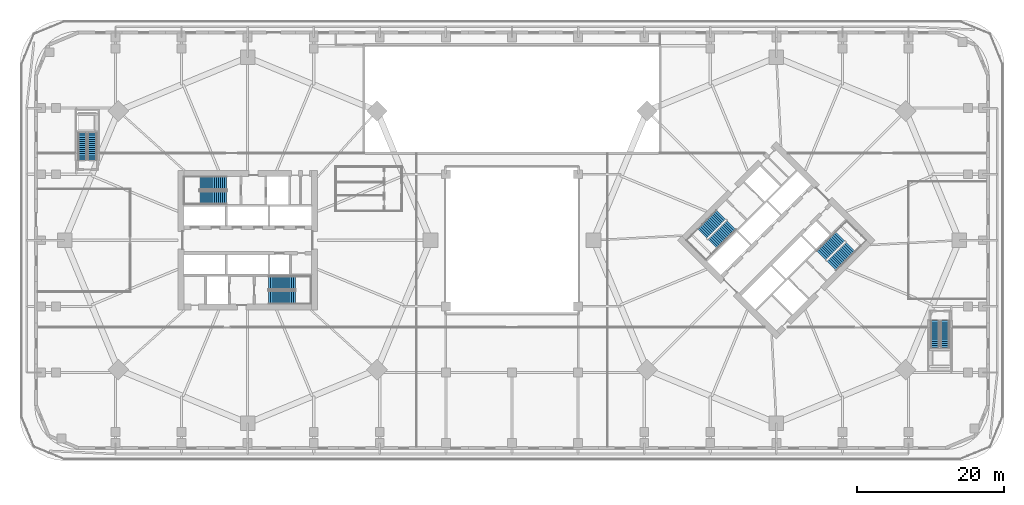
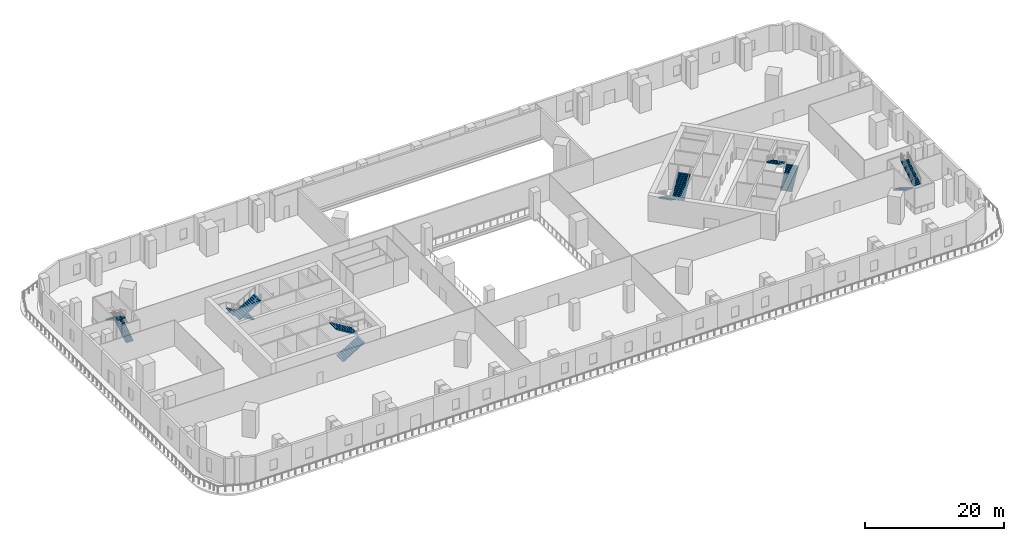
# One storey, part 12 of 17: 12 stair flights, 6 elements without a shape of their own.
"""IFC4 building model written with IfcOpenShell, lengths in metres."""

from ifc_helpers import new_model, si_unit, direction, frame, origin, place, context, subcontext, project, spatial, polyline, outline, extrude, material, type_object, element, aggregate, save


model = new_model("IFC4")

# Units and contexts
model_context = context("Model", 3, precision=1e-05, world=origin(), true_north=direction((0.0, 1.0)))
body_context = subcontext(model_context, "Body", "Model", "MODEL_VIEW")
ifc_project = project(units=[si_unit("LENGTHUNIT", "METRE"), si_unit("AREAUNIT", "SQUARE_METRE"), si_unit("VOLUMEUNIT", "CUBIC_METRE"), si_unit("PLANEANGLEUNIT", "RADIAN"), si_unit("MASSUNIT", "GRAM", prefix="KILO")], contexts=[model_context])

# Site, building, storey
site_placement = place(None, origin())
site = spatial("IfcSite", under=ifc_project, at=site_placement, CompositionType="ELEMENT")
building_placement = place(site_placement, origin())
building = spatial("IfcBuilding", under=site, at=building_placement, Name="Ogive Gate Towers", CompositionType="ELEMENT")
storey_placement = place(building_placement, frame((0.0, 0.0, 18.0)))
storey = spatial("IfcBuildingStorey", under=building, at=storey_placement, Name="L03", CompositionType="ELEMENT", Elevation=18.0)

# Stair, stair flights
ifc_material_1 = material(Name="Reinforced concrete C32/40", Category="concrete")
stair_type_1 = type_object("IfcStairType", Name="Escape stair 171 x 280", PredefinedType="HALF_TURN_STAIR", material=ifc_material_1)
stair_1_placement = place(storey_placement, origin())
stair_1 = element("IfcStair", 1, at=stair_1_placement, inside=storey, type_object=stair_type_1, Name="L03 escape stair", PredefinedType="HALF_TURN_STAIR")
stair_flight_type_1 = type_object("IfcStairFlightType", Name="Escape stair flight 171 x 280", PredefinedType="STRAIGHT", material=ifc_material_1)
stair_flight_1_placement = place(storey_placement, frame((-57.14990234375, 10.949951171875, 0.0), z_axis=(0.0, 0.0, 1.0), x_axis=(0.0, 1.0, 0.0)))
stair_flight_1 = element("IfcStairFlight", 2, at=stair_flight_1_placement, type_object=stair_flight_type_1, Name="PS1 flight 1", NumberOfRisers=14, NumberOfTreads=13, PredefinedType="STRAIGHT", RiserHeight=0.171428571, TreadLength=0.28, context=body_context, shape_type="SweptSolid", body=[
    extrude(outline(polyline([(0.0, 0.0), (0.0, 0.17138671875), (0.280029296875, 0.17138671875), (0.280029296875, 0.3427734375), (0.56005859375, 0.3427734375), (0.56005859375, 0.514404296875), (0.840087890625, 0.514404296875), (0.840087890625, 0.685791015625), (1.1201171875, 0.685791015625), (1.1201171875, 0.857177734375), (1.39990234375, 0.857177734375), (1.39990234375, 1.028564453125), (1.679931640625, 1.028564453125), (1.679931640625, 1.199951171875), (1.9599609375, 1.199951171875), (1.9599609375, 1.371337890625), (2.239990234375, 1.371337890625), (2.239990234375, 1.54296875), (2.52001953125, 1.54296875), (2.52001953125, 1.71435546875), (2.800048828125, 1.71435546875), (2.800048828125, 1.8857421875), (3.080078125, 1.8857421875), (3.080078125, 2.05712890625), (3.360107421875, 2.05712890625), (3.360107421875, 2.228515625), (3.639892578125, 2.228515625), (3.639892578125, 2.39990234375), (3.639892578125, 2.052734375), (0.287109375, 0.0), (0.0, 0.0)])), frame((0.0, 0.60009765625, 0.0), z_axis=(0.0, -1.0, 0.0), x_axis=(1.0, 0.0, 0.0)), (0.0, 0.0, 1.0), 1.199951171875),
])
stair_flight_2_placement = place(storey_placement, frame((-58.5, 14.590087890625, 2.39990234375), z_axis=(0.0, 0.0, 1.0), x_axis=(0.0, -1.0, 0.0)))
stair_flight_2 = element("IfcStairFlight", 3, at=stair_flight_2_placement, type_object=stair_flight_type_1, Name="PS1 flight 2", NumberOfRisers=14, NumberOfTreads=13, PredefinedType="STRAIGHT", RiserHeight=0.171428571, TreadLength=0.28, context=body_context, shape_type="SweptSolid", body=[
    extrude(outline(polyline([(0.0, 0.0), (0.0, 0.17138671875), (0.280029296875, 0.17138671875), (0.280029296875, 0.3427734375), (0.56005859375, 0.3427734375), (0.56005859375, 0.514404296875), (0.840087890625, 0.514404296875), (0.840087890625, 0.685791015625), (1.1201171875, 0.685791015625), (1.1201171875, 0.857177734375), (1.39990234375, 0.857177734375), (1.39990234375, 1.028564453125), (1.679931640625, 1.028564453125), (1.679931640625, 1.199951171875), (1.9599609375, 1.199951171875), (1.9599609375, 1.371337890625), (2.239990234375, 1.371337890625), (2.239990234375, 1.54296875), (2.52001953125, 1.54296875), (2.52001953125, 1.71435546875), (2.800048828125, 1.71435546875), (2.800048828125, 1.8857421875), (3.080078125, 1.8857421875), (3.080078125, 2.05712890625), (3.360107421875, 2.05712890625), (3.360107421875, 2.228515625), (3.639892578125, 2.228515625), (3.639892578125, 2.39990234375), (3.639892578125, 2.052734375), (0.287109375, 0.0), (0.0, 0.0)])), frame((0.0, 0.60009765625, 0.0), z_axis=(0.0, -1.0, 0.0), x_axis=(1.0, 0.0, 0.0)), (0.0, 0.0, 1.0), 1.199951171875),
])
aggregate(stair_1, [stair_flight_1, stair_flight_2])

stair_2_placement = place(storey_placement, origin())
stair_2 = element("IfcStair", 4, at=stair_2_placement, inside=storey, type_object=stair_type_1, Name="L03 escape stair", PredefinedType="HALF_TURN_STAIR")
stair_flight_3_placement = place(storey_placement, frame((57.60009765625, -10.949951171875, 0.0), z_axis=(0.0, 0.0, 1.0), x_axis=(0.0, -1.0, 0.0)))
stair_flight_3 = element("IfcStairFlight", 5, at=stair_flight_3_placement, type_object=stair_flight_type_1, Name="PS2 flight 1", NumberOfRisers=14, NumberOfTreads=13, PredefinedType="STRAIGHT", RiserHeight=0.171428571, TreadLength=0.28, context=body_context, shape_type="SweptSolid", body=[
    extrude(outline(polyline([(0.0, 0.0), (0.0, 0.17138671875), (0.280029296875, 0.17138671875), (0.280029296875, 0.3427734375), (0.56005859375, 0.3427734375), (0.56005859375, 0.514404296875), (0.840087890625, 0.514404296875), (0.840087890625, 0.685791015625), (1.1201171875, 0.685791015625), (1.1201171875, 0.857177734375), (1.39990234375, 0.857177734375), (1.39990234375, 1.028564453125), (1.679931640625, 1.028564453125), (1.679931640625, 1.199951171875), (1.9599609375, 1.199951171875), (1.9599609375, 1.371337890625), (2.239990234375, 1.371337890625), (2.239990234375, 1.54296875), (2.52001953125, 1.54296875), (2.52001953125, 1.71435546875), (2.800048828125, 1.71435546875), (2.800048828125, 1.8857421875), (3.080078125, 1.8857421875), (3.080078125, 2.05712890625), (3.360107421875, 2.05712890625), (3.360107421875, 2.228515625), (3.639892578125, 2.228515625), (3.639892578125, 2.39990234375), (3.639892578125, 2.052734375), (0.287109375, 0.0), (0.0, 0.0)])), frame((0.0, 0.60009765625, 0.0), z_axis=(0.0, -1.0, 0.0), x_axis=(1.0, 0.0, 0.0)), (0.0, 0.0, 1.0), 1.199951171875),
])
stair_flight_4_placement = place(storey_placement, frame((58.949951171875, -14.590087890625, 2.39990234375), z_axis=(0.0, 0.0, 1.0), x_axis=(0.0, 1.0, 0.0)))
stair_flight_4 = element("IfcStairFlight", 6, at=stair_flight_4_placement, type_object=stair_flight_type_1, Name="PS2 flight 2", NumberOfRisers=14, NumberOfTreads=13, PredefinedType="STRAIGHT", RiserHeight=0.171428571, TreadLength=0.28, context=body_context, shape_type="SweptSolid", body=[
    extrude(outline(polyline([(0.0, 0.0), (0.0, 0.17138671875), (0.280029296875, 0.17138671875), (0.280029296875, 0.3427734375), (0.56005859375, 0.3427734375), (0.56005859375, 0.514404296875), (0.840087890625, 0.514404296875), (0.840087890625, 0.685791015625), (1.1201171875, 0.685791015625), (1.1201171875, 0.857177734375), (1.39990234375, 0.857177734375), (1.39990234375, 1.028564453125), (1.679931640625, 1.028564453125), (1.679931640625, 1.199951171875), (1.9599609375, 1.199951171875), (1.9599609375, 1.371337890625), (2.239990234375, 1.371337890625), (2.239990234375, 1.54296875), (2.52001953125, 1.54296875), (2.52001953125, 1.71435546875), (2.800048828125, 1.71435546875), (2.800048828125, 1.8857421875), (3.080078125, 1.8857421875), (3.080078125, 2.05712890625), (3.360107421875, 2.05712890625), (3.360107421875, 2.228515625), (3.639892578125, 2.228515625), (3.639892578125, 2.39990234375), (3.639892578125, 2.052734375), (0.287109375, 0.0), (0.0, 0.0)])), frame((0.0, 0.60009765625, 0.0), z_axis=(0.0, -1.0, 0.0), x_axis=(1.0, 0.0, 0.0)), (0.0, 0.0, 1.0), 1.199951171875),
])
aggregate(stair_2, [stair_flight_3, stair_flight_4])

ifc_material_2 = material(Name="Concrete C40/50", Category="concrete")
stair_type_2 = type_object("IfcStairType", Name="Escape stair 1840 wide", PredefinedType="HALF_TURN_STAIR", material=ifc_material_2)
stair_3_placement = place(storey_placement, origin())
stair_3 = element("IfcStair", 7, at=stair_3_placement, inside=storey, type_object=stair_type_2, Name="L03 Escape stair 1", PredefinedType="HALF_TURN_STAIR")
stair_flight_type_2 = type_object("IfcStairFlightType", Name="Stair flight 1840 wide", PredefinedType="STRAIGHT", material=ifc_material_2)
stair_flight_5_placement = place(storey_placement, frame((-38.864990234375, 7.780029296875, 0.0), z_axis=(0.0, 0.0, 1.0), x_axis=(-1.0, 0.0, 0.0)))
stair_flight_5 = element("IfcStairFlight", 8, at=stair_flight_5_placement, type_object=stair_flight_type_2, Name="ST1 flight 1", NumberOfRisers=14, NumberOfTreads=13, PredefinedType="STRAIGHT", RiserHeight=0.171428571, TreadLength=0.28, context=body_context, shape_type="SweptSolid", body=[
    extrude(outline(polyline([(0.0, 0.0), (0.0, 0.17138671875), (0.280029296875, 0.17138671875), (0.280029296875, 0.3427734375), (0.56005859375, 0.3427734375), (0.56005859375, 0.514404296875), (0.840087890625, 0.514404296875), (0.840087890625, 0.685791015625), (1.1201171875, 0.685791015625), (1.1201171875, 0.857177734375), (1.39990234375, 0.857177734375), (1.39990234375, 1.028564453125), (1.679931640625, 1.028564453125), (1.679931640625, 1.199951171875), (1.9599609375, 1.199951171875), (1.9599609375, 1.371337890625), (2.239990234375, 1.371337890625), (2.239990234375, 1.54296875), (2.52001953125, 1.54296875), (2.52001953125, 1.71435546875), (2.800048828125, 1.71435546875), (2.800048828125, 1.8857421875), (3.080078125, 1.8857421875), (3.080078125, 2.05712890625), (3.360107421875, 2.05712890625), (3.360107421875, 2.228515625), (3.639892578125, 2.228515625), (3.639892578125, 2.39990234375), (3.639892578125, 2.052734375), (0.287109375, 0.0), (0.0, 0.0)])), frame((0.0, 0.919921875, 0.0), z_axis=(0.0, -1.0, 0.0), x_axis=(1.0, 0.0, 0.0)), (0.0, 0.0, 1.0), 1.840087890625),
])
stair_flight_6_placement = place(storey_placement, frame((-42.5048828125, 5.794921875, 2.39990234375), z_axis=(0.0, 0.0, 1.0), x_axis=(1.0, 0.0, 0.0)))
stair_flight_6 = element("IfcStairFlight", 9, at=stair_flight_6_placement, type_object=stair_flight_type_2, Name="ST1 flight 2", NumberOfRisers=14, NumberOfTreads=13, PredefinedType="STRAIGHT", RiserHeight=0.171428571, TreadLength=0.28, context=body_context, shape_type="SweptSolid", body=[
    extrude(outline(polyline([(0.0, 0.0), (0.0, 0.17138671875), (0.280029296875, 0.17138671875), (0.280029296875, 0.3427734375), (0.56005859375, 0.3427734375), (0.56005859375, 0.514404296875), (0.840087890625, 0.514404296875), (0.840087890625, 0.685791015625), (1.1201171875, 0.685791015625), (1.1201171875, 0.857177734375), (1.39990234375, 0.857177734375), (1.39990234375, 1.028564453125), (1.679931640625, 1.028564453125), (1.679931640625, 1.199951171875), (1.9599609375, 1.199951171875), (1.9599609375, 1.371337890625), (2.239990234375, 1.371337890625), (2.239990234375, 1.54296875), (2.52001953125, 1.54296875), (2.52001953125, 1.71435546875), (2.800048828125, 1.71435546875), (2.800048828125, 1.8857421875), (3.080078125, 1.8857421875), (3.080078125, 2.05712890625), (3.360107421875, 2.05712890625), (3.360107421875, 2.228515625), (3.639892578125, 2.228515625), (3.639892578125, 2.39990234375), (3.639892578125, 2.052734375), (0.287109375, 0.0), (0.0, 0.0)])), frame((0.0, 0.919921875, 0.0), z_axis=(0.0, -1.0, 0.0), x_axis=(1.0, 0.0, 0.0)), (0.0, 0.0, 1.0), 1.840087890625),
])
aggregate(stair_3, [stair_flight_5, stair_flight_6])

stair_4_placement = place(storey_placement, origin())
stair_4 = element("IfcStair", 10, at=stair_4_placement, inside=storey, type_object=stair_type_2, Name="L03 Escape stair 2", PredefinedType="HALF_TURN_STAIR")
stair_flight_7_placement = place(storey_placement, frame((-33.135009765625, -7.780029296875, 0.0), z_axis=(0.0, 0.0, 1.0), x_axis=(1.0, 0.0, 0.0)))
stair_flight_7 = element("IfcStairFlight", 11, at=stair_flight_7_placement, type_object=stair_flight_type_2, Name="ST2 flight 1", NumberOfRisers=14, NumberOfTreads=13, PredefinedType="STRAIGHT", RiserHeight=0.171428571, TreadLength=0.28, context=body_context, shape_type="SweptSolid", body=[
    extrude(outline(polyline([(0.0, 0.0), (0.0, 0.17138671875), (0.280029296875, 0.17138671875), (0.280029296875, 0.3427734375), (0.56005859375, 0.3427734375), (0.56005859375, 0.514404296875), (0.840087890625, 0.514404296875), (0.840087890625, 0.685791015625), (1.1201171875, 0.685791015625), (1.1201171875, 0.857177734375), (1.39990234375, 0.857177734375), (1.39990234375, 1.028564453125), (1.679931640625, 1.028564453125), (1.679931640625, 1.199951171875), (1.9599609375, 1.199951171875), (1.9599609375, 1.371337890625), (2.239990234375, 1.371337890625), (2.239990234375, 1.54296875), (2.52001953125, 1.54296875), (2.52001953125, 1.71435546875), (2.800048828125, 1.71435546875), (2.800048828125, 1.8857421875), (3.080078125, 1.8857421875), (3.080078125, 2.05712890625), (3.360107421875, 2.05712890625), (3.360107421875, 2.228515625), (3.639892578125, 2.228515625), (3.639892578125, 2.39990234375), (3.639892578125, 2.052734375), (0.287109375, 0.0), (0.0, 0.0)])), frame((0.0, 0.919921875, 0.0), z_axis=(0.0, -1.0, 0.0), x_axis=(1.0, 0.0, 0.0)), (0.0, 0.0, 1.0), 1.840087890625),
])
stair_flight_8_placement = place(storey_placement, frame((-29.4951171875, -5.794921875, 2.39990234375), z_axis=(0.0, 0.0, 1.0), x_axis=(-1.0, 0.0, 0.0)))
stair_flight_8 = element("IfcStairFlight", 12, at=stair_flight_8_placement, type_object=stair_flight_type_2, Name="ST2 flight 2", NumberOfRisers=14, NumberOfTreads=13, PredefinedType="STRAIGHT", RiserHeight=0.171428571, TreadLength=0.28, context=body_context, shape_type="SweptSolid", body=[
    extrude(outline(polyline([(0.0, 0.0), (0.0, 0.17138671875), (0.280029296875, 0.17138671875), (0.280029296875, 0.3427734375), (0.56005859375, 0.3427734375), (0.56005859375, 0.514404296875), (0.840087890625, 0.514404296875), (0.840087890625, 0.685791015625), (1.1201171875, 0.685791015625), (1.1201171875, 0.857177734375), (1.39990234375, 0.857177734375), (1.39990234375, 1.028564453125), (1.679931640625, 1.028564453125), (1.679931640625, 1.199951171875), (1.9599609375, 1.199951171875), (1.9599609375, 1.371337890625), (2.239990234375, 1.371337890625), (2.239990234375, 1.54296875), (2.52001953125, 1.54296875), (2.52001953125, 1.71435546875), (2.800048828125, 1.71435546875), (2.800048828125, 1.8857421875), (3.080078125, 1.8857421875), (3.080078125, 2.05712890625), (3.360107421875, 2.05712890625), (3.360107421875, 2.228515625), (3.639892578125, 2.228515625), (3.639892578125, 2.39990234375), (3.639892578125, 2.052734375), (0.287109375, 0.0), (0.0, 0.0)])), frame((0.0, 0.919921875, 0.0), z_axis=(0.0, -1.0, 0.0), x_axis=(1.0, 0.0, 0.0)), (0.0, 0.0, 1.0), 1.840087890625),
])
aggregate(stair_4, [stair_flight_7, stair_flight_8])

stair_5_placement = place(storey_placement, origin())
stair_5 = element("IfcStair", 13, at=stair_5_placement, inside=storey, type_object=stair_type_2, Name="L03 Escape stair 1", PredefinedType="HALF_TURN_STAIR")
stair_flight_9_placement = place(storey_placement, frame((28.472900390625, 3.475341796875, 0.0), z_axis=(0.0, 0.0, 1.0), x_axis=(-0.707106781187, -0.707106781187, 0.0)))
stair_flight_9 = element("IfcStairFlight", 14, at=stair_flight_9_placement, type_object=stair_flight_type_2, Name="ST1 flight 1", NumberOfRisers=14, NumberOfTreads=13, PredefinedType="STRAIGHT", RiserHeight=0.171428571, TreadLength=0.28, context=body_context, shape_type="SweptSolid", body=[
    extrude(outline(polyline([(0.0, 0.0), (0.0, 0.17138671875), (0.280029296875, 0.17138671875), (0.280029296875, 0.3427734375), (0.56005859375, 0.3427734375), (0.56005859375, 0.514404296875), (0.840087890625, 0.514404296875), (0.840087890625, 0.685791015625), (1.1201171875, 0.685791015625), (1.1201171875, 0.857177734375), (1.39990234375, 0.857177734375), (1.39990234375, 1.028564453125), (1.679931640625, 1.028564453125), (1.679931640625, 1.199951171875), (1.9599609375, 1.199951171875), (1.9599609375, 1.371337890625), (2.239990234375, 1.371337890625), (2.239990234375, 1.54296875), (2.52001953125, 1.54296875), (2.52001953125, 1.71435546875), (2.800048828125, 1.71435546875), (2.800048828125, 1.8857421875), (3.080078125, 1.8857421875), (3.080078125, 2.05712890625), (3.360107421875, 2.05712890625), (3.360107421875, 2.228515625), (3.639892578125, 2.228515625), (3.639892578125, 2.39990234375), (3.639892578125, 2.052734375), (0.287109375, 0.0), (0.0, 0.0)])), frame((0.0, 0.919921875, 0.0), z_axis=(0.0, -1.0, 0.0), x_axis=(1.0, 0.0, 0.0)), (0.0, 0.0, 1.0), 1.840087890625),
])
stair_flight_10_placement = place(storey_placement, frame((27.302490234375, -0.501953125, 2.39990234375), z_axis=(0.0, 0.0, 1.0), x_axis=(0.707106781187, 0.707106781187, 0.0)))
stair_flight_10 = element("IfcStairFlight", 15, at=stair_flight_10_placement, type_object=stair_flight_type_2, Name="ST1 flight 2", NumberOfRisers=14, NumberOfTreads=13, PredefinedType="STRAIGHT", RiserHeight=0.171428571, TreadLength=0.28, context=body_context, shape_type="SweptSolid", body=[
    extrude(outline(polyline([(0.0, 0.0), (0.0, 0.17138671875), (0.280029296875, 0.17138671875), (0.280029296875, 0.3427734375), (0.56005859375, 0.3427734375), (0.56005859375, 0.514404296875), (0.840087890625, 0.514404296875), (0.840087890625, 0.685791015625), (1.1201171875, 0.685791015625), (1.1201171875, 0.857177734375), (1.39990234375, 0.857177734375), (1.39990234375, 1.028564453125), (1.679931640625, 1.028564453125), (1.679931640625, 1.199951171875), (1.9599609375, 1.199951171875), (1.9599609375, 1.371337890625), (2.239990234375, 1.371337890625), (2.239990234375, 1.54296875), (2.52001953125, 1.54296875), (2.52001953125, 1.71435546875), (2.800048828125, 1.71435546875), (2.800048828125, 1.8857421875), (3.080078125, 1.8857421875), (3.080078125, 2.05712890625), (3.360107421875, 2.05712890625), (3.360107421875, 2.228515625), (3.639892578125, 2.228515625), (3.639892578125, 2.39990234375), (3.639892578125, 2.052734375), (0.287109375, 0.0), (0.0, 0.0)])), frame((0.0, 0.919921875, 0.0), z_axis=(0.0, -1.0, 0.0), x_axis=(1.0, 0.0, 0.0)), (0.0, 0.0, 1.0), 1.840087890625),
])
aggregate(stair_5, [stair_flight_9, stair_flight_10])

stair_6_placement = place(storey_placement, origin())
stair_6 = element("IfcStair", 16, at=stair_6_placement, inside=storey, type_object=stair_type_2, Name="L03 Escape stair 2", PredefinedType="HALF_TURN_STAIR")
stair_flight_11_placement = place(storey_placement, frame((43.527099609375, -3.475341796875, 0.0), z_axis=(0.0, 0.0, 1.0), x_axis=(0.707106781187, 0.707106781187, 0.0)))
stair_flight_11 = element("IfcStairFlight", 17, at=stair_flight_11_placement, type_object=stair_flight_type_2, Name="ST2 flight 1", NumberOfRisers=14, NumberOfTreads=13, PredefinedType="STRAIGHT", RiserHeight=0.171428571, TreadLength=0.28, context=body_context, shape_type="SweptSolid", body=[
    extrude(outline(polyline([(0.0, 0.0), (0.0, 0.17138671875), (0.280029296875, 0.17138671875), (0.280029296875, 0.3427734375), (0.56005859375, 0.3427734375), (0.56005859375, 0.514404296875), (0.840087890625, 0.514404296875), (0.840087890625, 0.685791015625), (1.1201171875, 0.685791015625), (1.1201171875, 0.857177734375), (1.39990234375, 0.857177734375), (1.39990234375, 1.028564453125), (1.679931640625, 1.028564453125), (1.679931640625, 1.199951171875), (1.9599609375, 1.199951171875), (1.9599609375, 1.371337890625), (2.239990234375, 1.371337890625), (2.239990234375, 1.54296875), (2.52001953125, 1.54296875), (2.52001953125, 1.71435546875), (2.800048828125, 1.71435546875), (2.800048828125, 1.8857421875), (3.080078125, 1.8857421875), (3.080078125, 2.05712890625), (3.360107421875, 2.05712890625), (3.360107421875, 2.228515625), (3.639892578125, 2.228515625), (3.639892578125, 2.39990234375), (3.639892578125, 2.052734375), (0.287109375, 0.0), (0.0, 0.0)])), frame((0.0, 0.919921875, 0.0), z_axis=(0.0, -1.0, 0.0), x_axis=(1.0, 0.0, 0.0)), (0.0, 0.0, 1.0), 1.840087890625),
])
stair_flight_12_placement = place(storey_placement, frame((44.697509765625, 0.501953125, 2.39990234375), z_axis=(0.0, 0.0, 1.0), x_axis=(-0.707106781187, -0.707106781187, 0.0)))
stair_flight_12 = element("IfcStairFlight", 18, at=stair_flight_12_placement, type_object=stair_flight_type_2, Name="ST2 flight 2", NumberOfRisers=14, NumberOfTreads=13, PredefinedType="STRAIGHT", RiserHeight=0.171428571, TreadLength=0.28, context=body_context, shape_type="SweptSolid", body=[
    extrude(outline(polyline([(0.0, 0.0), (0.0, 0.17138671875), (0.280029296875, 0.17138671875), (0.280029296875, 0.3427734375), (0.56005859375, 0.3427734375), (0.56005859375, 0.514404296875), (0.840087890625, 0.514404296875), (0.840087890625, 0.685791015625), (1.1201171875, 0.685791015625), (1.1201171875, 0.857177734375), (1.39990234375, 0.857177734375), (1.39990234375, 1.028564453125), (1.679931640625, 1.028564453125), (1.679931640625, 1.199951171875), (1.9599609375, 1.199951171875), (1.9599609375, 1.371337890625), (2.239990234375, 1.371337890625), (2.239990234375, 1.54296875), (2.52001953125, 1.54296875), (2.52001953125, 1.71435546875), (2.800048828125, 1.71435546875), (2.800048828125, 1.8857421875), (3.080078125, 1.8857421875), (3.080078125, 2.05712890625), (3.360107421875, 2.05712890625), (3.360107421875, 2.228515625), (3.639892578125, 2.228515625), (3.639892578125, 2.39990234375), (3.639892578125, 2.052734375), (0.287109375, 0.0), (0.0, 0.0)])), frame((0.0, 0.919921875, 0.0), z_axis=(0.0, -1.0, 0.0), x_axis=(1.0, 0.0, 0.0)), (0.0, 0.0, 1.0), 1.840087890625),
])
aggregate(stair_6, [stair_flight_11, stair_flight_12])

save(model, "model.ifc")
